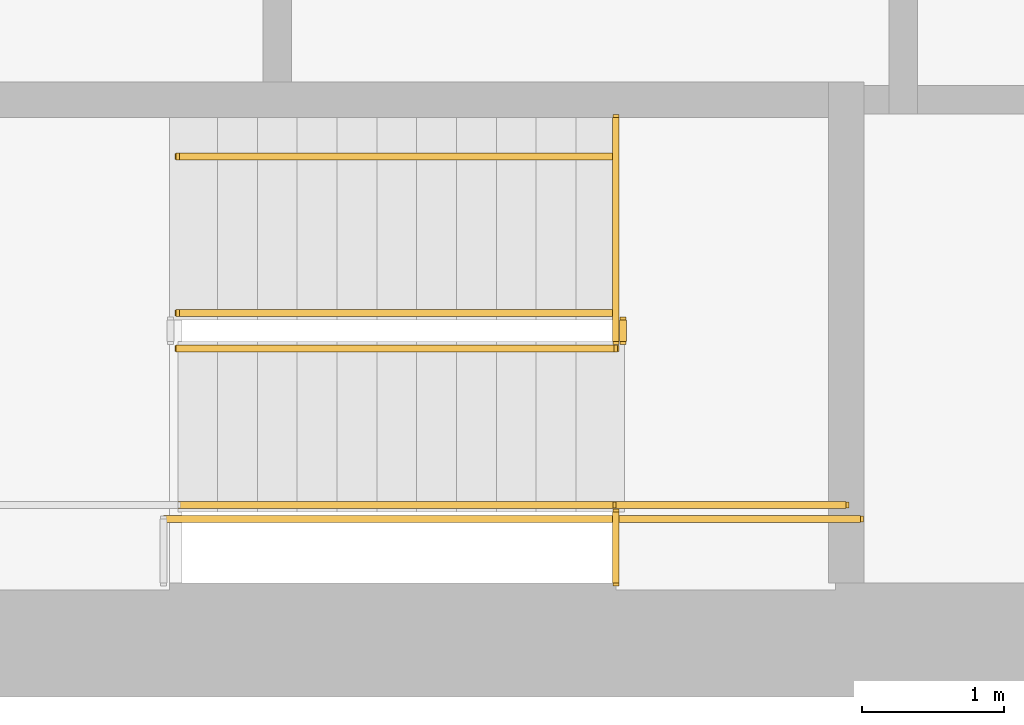
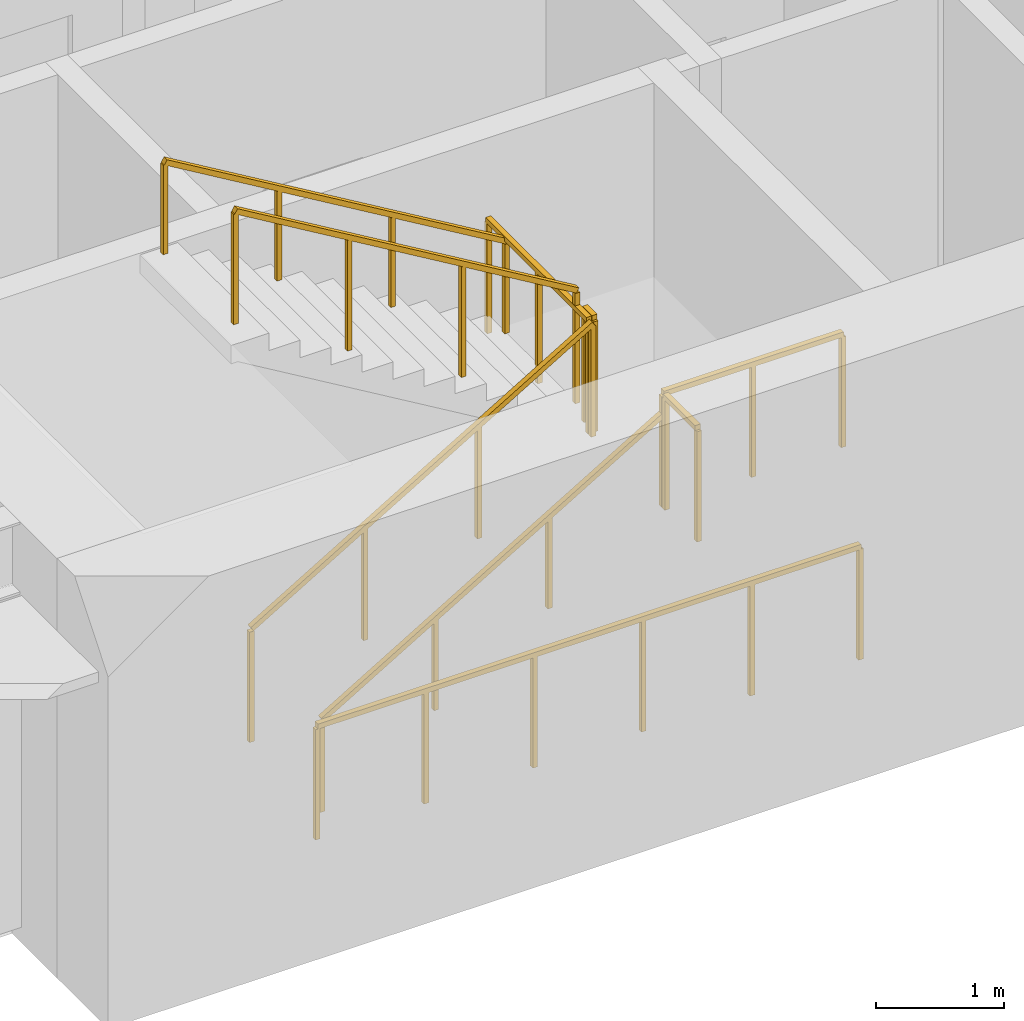
# One storey, part 10 of 12: 9 railings.
"""IFC4 building model written with IfcOpenShell, lengths in metres."""

from ifc_helpers import new_model, si_unit, direction, frame, origin, origin_2d, place, context, subcontext, project, spatial, rectangle, extrude, material, type_object, element, save


model = new_model("IFC4")

# Units and contexts
model_context = context("Model", 3, precision=1e-05, world=origin(), true_north=direction((0.0, 1.0)))
body_context = subcontext(model_context, "Body", "Model", "MODEL_VIEW")
ifc_project = project(units=[si_unit("LENGTHUNIT", "METRE"), si_unit("AREAUNIT", "SQUARE_METRE"), si_unit("VOLUMEUNIT", "CUBIC_METRE"), si_unit("PLANEANGLEUNIT", "RADIAN"), si_unit("MASSUNIT", "GRAM", prefix="KILO")], contexts=[model_context])

# Site, building, storey
site_placement = place(None, origin())
site = spatial("IfcSite", under=ifc_project, at=site_placement, CompositionType="ELEMENT")
building_placement = place(site_placement, origin())
building = spatial("IfcBuilding", under=site, at=building_placement, Name="Sennacour Bend Tower", CompositionType="ELEMENT")
storey_placement = place(building_placement, frame((0.0, 0.0, 261.0)))
storey = spatial("IfcBuildingStorey", under=building, at=storey_placement, Name="L60", CompositionType="ELEMENT", Elevation=261.0)

# Railings
ifc_material = material(Name="Stainless steel", Category="steel")
railing_type_1 = type_object("IfcRailingType", Name="RL-GUARD-1100", PredefinedType="GUARDRAIL", material=ifc_material)
railing_1_placement = place(storey_placement, frame((56.699951171875, 2.449951171875, 0.166748046875)))
element("IfcRailing", 1, at=railing_1_placement, inside=storey, type_object=railing_type_1, Name="L60 SA1 stair guard 1", PredefinedType="GUARDRAIL", context=body_context, shape_type="SweptSolid", body=[
    extrude(rectangle(XDim=0.048095703125, YDim=0.048095703125, at=origin_2d()), frame((0.0, 0.0, 1.076171875), z_axis=(0.859308565015, 0.0, 0.511457515432), x_axis=(0.0, 1.0, 0.0)), (0.0, 0.0, 1.0), 3.58447265625),
    extrude(rectangle(XDim=0.0419921875, YDim=0.0419921875, at=origin_2d()), origin(), (0.0, 0.0, 1.0), 1.052001953125),
    extrude(rectangle(XDim=0.0419921875, YDim=0.0419921875, at=origin_2d()), frame((1.026611328125, 0.0, 0.611083984375)), (0.0, 0.0, 1.0), 1.052001953125),
    extrude(rectangle(XDim=0.0419921875, YDim=0.0419921875, at=origin_2d()), frame((2.053466796875, 0.0, 1.22216796875)), (0.0, 0.0, 1.0), 1.052001953125),
    extrude(rectangle(XDim=0.0419921875, YDim=0.0419921875, at=origin_2d()), frame((3.080078125, 0.0, 1.833251953125)), (0.0, 0.0, 1.0), 1.052001953125),
])
railing_2_placement = place(storey_placement, frame((59.830078125, 2.5, 2.0)))
element("IfcRailing", 2, at=railing_2_placement, inside=storey, type_object=railing_type_1, Name="L60 SA1 stair guard 2", PredefinedType="GUARDRAIL", context=body_context, shape_type="SweptSolid", body=[
    extrude(rectangle(XDim=0.048095703125, YDim=0.048095703125, at=origin_2d()), frame((0.0, 0.0, 1.076171875), z_axis=(0.0, 1.0, 0.0), x_axis=(-1.0, 0.0, 0.0)), (0.0, 0.0, 1.0), 0.14990234375),
    extrude(rectangle(XDim=0.0419921875, YDim=0.0419921875, at=origin_2d()), origin(), (0.0, 0.0, 1.0), 1.052001953125),
    extrude(rectangle(XDim=0.0419921875, YDim=0.0419921875, at=origin_2d()), frame((0.0, 0.14990234375, 0.0)), (0.0, 0.0, 1.0), 1.052001953125),
])
railing_3_placement = place(storey_placement, frame((59.780029296875, 1.35009765625, 2.0)))
element("IfcRailing", 3, at=railing_3_placement, inside=storey, type_object=railing_type_1, Name="L60 SA1 stair guard 3", PredefinedType="GUARDRAIL", context=body_context, shape_type="SweptSolid", body=[
    extrude(rectangle(XDim=0.048095703125, YDim=0.048095703125, at=origin_2d()), frame((0.0, 0.0, 1.076171875), z_axis=(1.0, 0.0, 0.0), x_axis=(0.0, 1.0, 0.0)), (0.0, 0.0, 1.0), 1.619873046875),
    extrude(rectangle(XDim=0.0419921875, YDim=0.0419921875, at=origin_2d()), origin(), (0.0, 0.0, 1.0), 1.052001953125),
    extrude(rectangle(XDim=0.0419921875, YDim=0.0419921875, at=origin_2d()), frame((0.81005859375, 0.0, 0.0)), (0.0, 0.0, 1.0), 1.052001953125),
    extrude(rectangle(XDim=0.0419921875, YDim=0.0419921875, at=origin_2d()), frame((1.619873046875, 0.0, 0.0)), (0.0, 0.0, 1.0), 1.052001953125),
])
railing_4_placement = place(storey_placement, frame((59.780029296875, 2.699951171875, 2.166748046875)))
element("IfcRailing", 4, at=railing_4_placement, inside=storey, type_object=railing_type_1, Name="L60 SA1 stair guard 4", PredefinedType="GUARDRAIL", context=body_context, shape_type="SweptSolid", body=[
    extrude(rectangle(XDim=0.048095703125, YDim=0.048095703125, at=origin_2d()), frame((0.0, 0.0, 1.076171875), z_axis=(-0.859308565015, 0.0, 0.511457515432), x_axis=(0.0, -1.0, 0.0)), (0.0, 0.0, 1.0), 3.58447265625),
    extrude(rectangle(XDim=0.0419921875, YDim=0.0419921875, at=origin_2d()), origin(), (0.0, 0.0, 1.0), 1.052001953125),
    extrude(rectangle(XDim=0.0419921875, YDim=0.0419921875, at=origin_2d()), frame((-1.026611328125, 0.0, 0.611083984375)), (0.0, 0.0, 1.0), 1.052001953125),
    extrude(rectangle(XDim=0.0419921875, YDim=0.0419921875, at=origin_2d()), frame((-2.053466796875, 0.0, 1.22216796875)), (0.0, 0.0, 1.0), 1.052001953125),
    extrude(rectangle(XDim=0.0419921875, YDim=0.0419921875, at=origin_2d()), frame((-3.080078125, 0.0, 1.833251953125)), (0.0, 0.0, 1.0), 1.052001953125),
])
railing_5_placement = place(storey_placement, frame((56.60009765625, 1.25, 0.0)))
element("IfcRailing", 5, at=railing_5_placement, inside=storey, type_object=railing_type_1, Name="L60 SA1 stair guard 8", PredefinedType="GUARDRAIL", context=body_context, shape_type="SweptSolid", body=[
    extrude(rectangle(XDim=0.048095703125, YDim=0.048095703125, at=origin_2d()), frame((0.0, 0.0, 1.076171875), z_axis=(1.0, 0.0, 0.0), x_axis=(0.0, 1.0, 0.0)), (0.0, 0.0, 1.0), 4.89990234375),
    extrude(rectangle(XDim=0.0419921875, YDim=0.0419921875, at=origin_2d()), origin(), (0.0, 0.0, 1.0), 1.052001953125),
    extrude(rectangle(XDim=0.0419921875, YDim=0.0419921875, at=origin_2d()), frame((0.97998046875, 0.0, 0.0)), (0.0, 0.0, 1.0), 1.052001953125),
    extrude(rectangle(XDim=0.0419921875, YDim=0.0419921875, at=origin_2d()), frame((1.9599609375, 0.0, 0.0)), (0.0, 0.0, 1.0), 1.052001953125),
    extrude(rectangle(XDim=0.0419921875, YDim=0.0419921875, at=origin_2d()), frame((2.93994140625, 0.0, 0.0)), (0.0, 0.0, 1.0), 1.052001953125),
    extrude(rectangle(XDim=0.0419921875, YDim=0.0419921875, at=origin_2d()), frame((3.919921875, 0.0, 0.0)), (0.0, 0.0, 1.0), 1.052001953125),
    extrude(rectangle(XDim=0.0419921875, YDim=0.0419921875, at=origin_2d()), frame((4.89990234375, 0.0, 0.0)), (0.0, 0.0, 1.0), 1.052001953125),
])
railing_6_placement = place(storey_placement, frame((59.780029296875, 0.800048828125, 2.0)))
element("IfcRailing", 6, at=railing_6_placement, inside=storey, type_object=railing_type_1, Name="L60 SA1 landing edge guard 90", PredefinedType="GUARDRAIL", context=body_context, shape_type="SweptSolid", body=[
    extrude(rectangle(XDim=0.048095703125, YDim=0.048095703125, at=origin_2d()), frame((0.0, 0.0, 1.076171875), z_axis=(0.0, 1.0, 0.0), x_axis=(-1.0, 0.0, 0.0)), (0.0, 0.0, 1.0), 0.5),
    extrude(rectangle(XDim=0.0419921875, YDim=0.0419921875, at=origin_2d()), origin(), (0.0, 0.0, 1.0), 1.052001953125),
    extrude(rectangle(XDim=0.0419921875, YDim=0.0419921875, at=origin_2d()), frame((0.0, 0.5, 0.0)), (0.0, 0.0, 1.0), 1.052001953125),
])
railing_7_placement = place(storey_placement, frame((59.780029296875, 2.5, 2.0)))
element("IfcRailing", 7, at=railing_7_placement, inside=storey, type_object=railing_type_1, Name="L60 SA1 landing edge guard 91", PredefinedType="GUARDRAIL", context=body_context, shape_type="SweptSolid", body=[
    extrude(rectangle(XDim=0.048095703125, YDim=0.048095703125, at=origin_2d()), frame((0.0, 0.0, 1.076171875), z_axis=(0.0, 1.0, 0.0), x_axis=(-1.0, 0.0, 0.0)), (0.0, 0.0, 1.0), 1.574951171875),
    extrude(rectangle(XDim=0.0419921875, YDim=0.0419921875, at=origin_2d()), origin(), (0.0, 0.0, 1.0), 1.052001953125),
    extrude(rectangle(XDim=0.0419921875, YDim=0.0419921875, at=origin_2d()), frame((0.0, 0.78759765625, 0.0)), (0.0, 0.0, 1.0), 1.052001953125),
    extrude(rectangle(XDim=0.0419921875, YDim=0.0419921875, at=origin_2d()), frame((0.0, 1.574951171875, 0.0)), (0.0, 0.0, 1.0), 1.052001953125),
])
railing_type_2 = type_object("IfcRailingType", Name="RL-HANDRAIL-900", PredefinedType="HANDRAIL", material=ifc_material)
railing_8_placement = place(storey_placement, frame((56.699951171875, 1.35009765625, 0.166748046875)))
element("IfcRailing", 8, at=railing_8_placement, inside=storey, type_object=railing_type_2, Name="L60 SA1 stair handrail 1", PredefinedType="HANDRAIL", context=body_context, shape_type="SweptSolid", body=[
    extrude(rectangle(XDim=0.048095703125, YDim=0.048095703125, at=origin_2d()), frame((0.0, 0.0, 0.8759765625), z_axis=(0.859308565015, 0.0, 0.511457515432), x_axis=(0.0, 1.0, 0.0)), (0.0, 0.0, 1.0), 3.58447265625),
    extrude(rectangle(XDim=0.0419921875, YDim=0.0419921875, at=origin_2d()), origin(), (0.0, 0.0, 1.0), 0.851806640625),
    extrude(rectangle(XDim=0.0419921875, YDim=0.0419921875, at=origin_2d()), frame((1.026611328125, 0.0, 0.611083984375)), (0.0, 0.0, 1.0), 0.851806640625),
    extrude(rectangle(XDim=0.0419921875, YDim=0.0419921875, at=origin_2d()), frame((2.053466796875, 0.0, 1.22216796875)), (0.0, 0.0, 1.0), 0.851806640625),
    extrude(rectangle(XDim=0.0419921875, YDim=0.0419921875, at=origin_2d()), frame((3.080078125, 0.0, 1.833251953125)), (0.0, 0.0, 1.0), 0.851806640625),
])
railing_9_placement = place(storey_placement, frame((59.780029296875, 3.800048828125, 2.166748046875)))
element("IfcRailing", 9, at=railing_9_placement, inside=storey, type_object=railing_type_2, Name="L60 SA1 stair handrail 2", PredefinedType="HANDRAIL", context=body_context, shape_type="SweptSolid", body=[
    extrude(rectangle(XDim=0.048095703125, YDim=0.048095703125, at=origin_2d()), frame((0.0, 0.0, 0.8759765625), z_axis=(-0.859308565015, 0.0, 0.511457515432), x_axis=(0.0, -1.0, 0.0)), (0.0, 0.0, 1.0), 3.58447265625),
    extrude(rectangle(XDim=0.0419921875, YDim=0.0419921875, at=origin_2d()), origin(), (0.0, 0.0, 1.0), 0.851806640625),
    extrude(rectangle(XDim=0.0419921875, YDim=0.0419921875, at=origin_2d()), frame((-1.026611328125, 0.0, 0.611083984375)), (0.0, 0.0, 1.0), 0.851806640625),
    extrude(rectangle(XDim=0.0419921875, YDim=0.0419921875, at=origin_2d()), frame((-2.053466796875, 0.0, 1.22216796875)), (0.0, 0.0, 1.0), 0.851806640625),
    extrude(rectangle(XDim=0.0419921875, YDim=0.0419921875, at=origin_2d()), frame((-3.080078125, 0.0, 1.833251953125)), (0.0, 0.0, 1.0), 0.851806640625),
])

save(model, "model.ifc")
